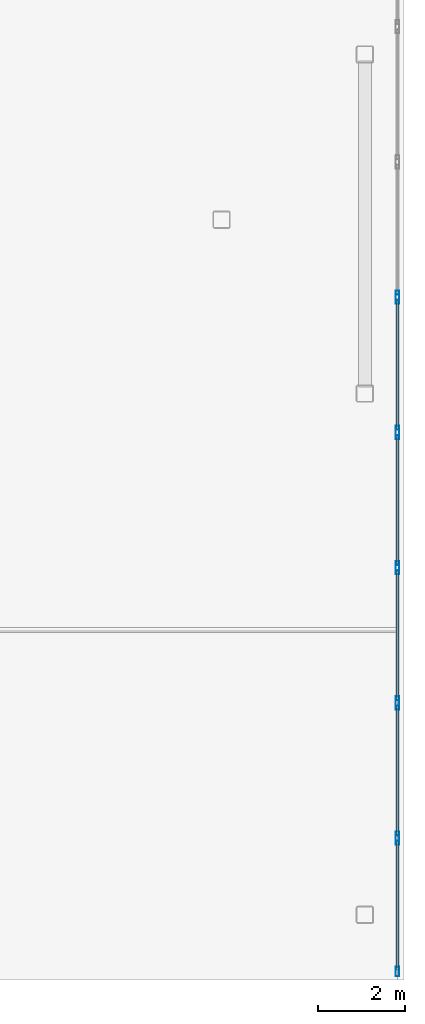
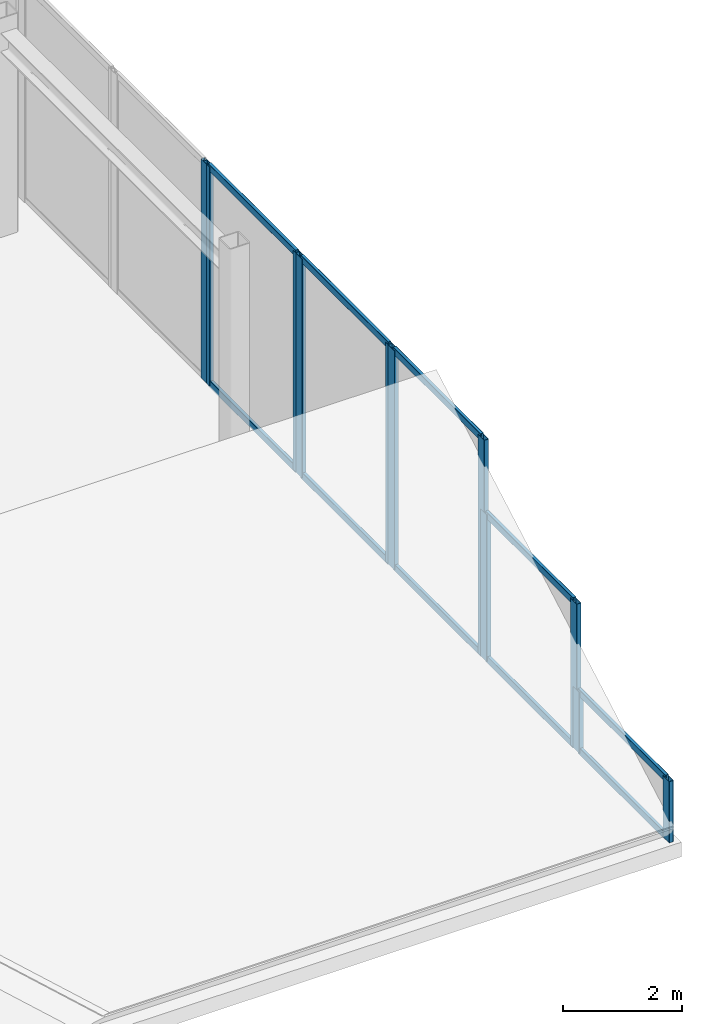
# One storey, part 7 of 12: 21 members, 6 elements without a shape of their own.
"""IFC4 building model written with IfcOpenShell, lengths in metres."""

from ifc_helpers import new_model, si_unit, direction, frame, origin, origin_2d, place, context, subcontext, project, spatial, hollow_rectangle, extrude, material, layer, layer_set, material_profile, profile_set, type_object, element, aggregate, save


model = new_model("IFC4")

# Units and contexts
model_context = context("Model", 3, precision=1e-05, world=origin(), true_north=direction((0.0, 1.0)))
body_context = subcontext(model_context, "Body", "Model", "MODEL_VIEW")
ifc_project = project(units=[si_unit("LENGTHUNIT", "METRE"), si_unit("AREAUNIT", "SQUARE_METRE"), si_unit("VOLUMEUNIT", "CUBIC_METRE"), si_unit("PLANEANGLEUNIT", "RADIAN"), si_unit("MASSUNIT", "GRAM", prefix="KILO")], contexts=[model_context])

# Site, building, storey
site_placement = place(None, origin())
site = spatial("IfcSite", under=ifc_project, at=site_placement, CompositionType="ELEMENT")
building_placement = place(site_placement, origin())
building = spatial("IfcBuilding", under=site, at=building_placement, Name="Tarnavaz Court Tower", CompositionType="ELEMENT")
storey_placement = place(building_placement, frame((0.0, 0.0, 299.550048828125)))
storey = spatial("IfcBuildingStorey", under=building, at=storey_placement, Name="C05", CompositionType="ELEMENT", Elevation=299.550048828125)

# Curtain wall, member
ifc_material_1 = material(Name="Anodised Aluminium 6063-T6 and Solar Low-E Glazing", Category="aluminium")
ifc_layer = layer(ifc_material_1, 0.2099609375)
ifc_layer_set = layer_set([ifc_layer], Name="Anodised Aluminium 6063-T6 and Solar Low-E Glazing")
curtain_wall_type = type_object("IfcCurtainWallType", Name="CW-SYS-06", PredefinedType="NOTDEFINED", material=ifc_layer_set)
curtain_wall_1_placement = place(storey_placement, origin())
curtain_wall_1 = element("IfcCurtainWall", 1, at=curtain_wall_1_placement, inside=storey, type_object=curtain_wall_type, Name="C05 Slanted Crown Terracotta Curtain Wall 12", PredefinedType="NOTDEFINED")
ifc_material_2 = material(Name="Anodised Aluminium 6063-T6", Category="aluminium")
ifc_material_profile_1 = material_profile(ifc_material_2, hollow_rectangle(XDim=0.0849609375, YDim=0.219970703125, WallThickness=0.006103515625, InnerFilletRadius=0.006103515625, OuterFilletRadius=0.011962890625, at=origin_2d()), Name="ALU RHS 220X85X6")
ifc_profile_set_1 = profile_set([ifc_material_profile_1], Name="Anodised Aluminium 6063-T6")
member_type_1 = type_object("IfcMemberType", Name="CW-MUL-220", PredefinedType="MULLION", material=ifc_profile_set_1)
member_1_placement = place(storey_placement, frame((22.64990234375, 8.2548828125, 0.0), z_axis=(0.0, 0.0, 1.0), x_axis=(1.0, 0.0, 0.0)))
member_1 = element("IfcMember", 2, at=member_1_placement, type_object=member_type_1, Name="CW mullion 2", PredefinedType="MULLION", context=body_context, shape_type="SweptSolid", body=[
    extrude(hollow_rectangle(XDim=0.0849609375, YDim=0.219970703125, WallThickness=0.006103515625, InnerFilletRadius=0.006103515625, OuterFilletRadius=0.011962890625, at=origin_2d()), origin(), (0.0, 0.0, 1.0), 4.5),
])
aggregate(curtain_wall_1, [member_1])

# Curtain wall, members
curtain_wall_2_placement = place(storey_placement, origin())
curtain_wall_2 = element("IfcCurtainWall", 3, at=curtain_wall_2_placement, inside=storey, type_object=curtain_wall_type, Name="C05 Slanted Crown Terracotta Curtain Wall 13", PredefinedType="NOTDEFINED")
member_2_placement = place(storey_placement, frame((22.64990234375, 8.169921875, 0.0), z_axis=(0.0, 0.0, 1.0), x_axis=(1.0, 0.0, 0.0)))
member_2 = element("IfcMember", 4, at=member_2_placement, type_object=member_type_1, Name="CW mullion 1", PredefinedType="MULLION", context=body_context, shape_type="SweptSolid", body=[
    extrude(hollow_rectangle(XDim=0.0849609375, YDim=0.219970703125, WallThickness=0.006103515625, InnerFilletRadius=0.006103515625, OuterFilletRadius=0.011962890625, at=origin_2d()), origin(), (0.0, 0.0, 1.0), 4.5),
])
member_3_placement = place(storey_placement, frame((22.64990234375, 5.142578125, 0.0), z_axis=(0.0, 0.0, 1.0), x_axis=(1.0, 0.0, 0.0)))
member_3 = element("IfcMember", 5, at=member_3_placement, type_object=member_type_1, Name="CW mullion 2", PredefinedType="MULLION", context=body_context, shape_type="SweptSolid", body=[
    extrude(hollow_rectangle(XDim=0.0849609375, YDim=0.219970703125, WallThickness=0.006103515625, InnerFilletRadius=0.006103515625, OuterFilletRadius=0.011962890625, at=origin_2d()), origin(), (0.0, 0.0, 1.0), 4.5),
])

curtain_wall_3_placement = place(storey_placement, origin())
curtain_wall_3 = element("IfcCurtainWall", 6, at=curtain_wall_3_placement, inside=storey, type_object=curtain_wall_type, Name="C05 Slanted Crown Terracotta Curtain Wall 14", PredefinedType="NOTDEFINED")
member_4_placement = place(storey_placement, frame((22.64990234375, 5.0576171875, 0.0), z_axis=(0.0, 0.0, 1.0), x_axis=(1.0, 0.0, 0.0)))
member_4 = element("IfcMember", 7, at=member_4_placement, type_object=member_type_1, Name="CW mullion 1", PredefinedType="MULLION", context=body_context, shape_type="SweptSolid", body=[
    extrude(hollow_rectangle(XDim=0.0849609375, YDim=0.219970703125, WallThickness=0.006103515625, InnerFilletRadius=0.006103515625, OuterFilletRadius=0.011962890625, at=origin_2d()), origin(), (0.0, 0.0, 1.0), 4.5),
])
member_5_placement = place(storey_placement, frame((22.64990234375, 2.030029296875, 0.0), z_axis=(0.0, 0.0, 1.0), x_axis=(1.0, 0.0, 0.0)))
member_5 = element("IfcMember", 8, at=member_5_placement, type_object=member_type_1, Name="CW mullion 2", PredefinedType="MULLION", context=body_context, shape_type="SweptSolid", body=[
    extrude(hollow_rectangle(XDim=0.0849609375, YDim=0.219970703125, WallThickness=0.006103515625, InnerFilletRadius=0.006103515625, OuterFilletRadius=0.011962890625, at=origin_2d()), origin(), (0.0, 0.0, 1.0), 4.5),
])

curtain_wall_4_placement = place(storey_placement, origin())
curtain_wall_4 = element("IfcCurtainWall", 9, at=curtain_wall_4_placement, inside=storey, type_object=curtain_wall_type, Name="C05 Slanted Crown Terracotta Curtain Wall 15", PredefinedType="NOTDEFINED")
member_6_placement = place(storey_placement, frame((22.64990234375, 1.945068359375, 0.0), z_axis=(0.0, 0.0, 1.0), x_axis=(1.0, 0.0, 0.0)))
member_6 = element("IfcMember", 10, at=member_6_placement, type_object=member_type_1, Name="CW mullion 1", PredefinedType="MULLION", context=body_context, shape_type="SweptSolid", body=[
    extrude(hollow_rectangle(XDim=0.0849609375, YDim=0.219970703125, WallThickness=0.006103515625, InnerFilletRadius=0.006103515625, OuterFilletRadius=0.011962890625, at=origin_2d()), origin(), (0.0, 0.0, 1.0), 4.5),
])
member_7_placement = place(storey_placement, frame((22.64990234375, -1.08251953125, 0.0), z_axis=(0.0, 0.0, 1.0), x_axis=(1.0, 0.0, 0.0)))
member_7 = element("IfcMember", 11, at=member_7_placement, type_object=member_type_1, Name="CW mullion 2", PredefinedType="MULLION", context=body_context, shape_type="SweptSolid", body=[
    extrude(hollow_rectangle(XDim=0.0849609375, YDim=0.219970703125, WallThickness=0.006103515625, InnerFilletRadius=0.006103515625, OuterFilletRadius=0.011962890625, at=origin_2d()), origin(), (0.0, 0.0, 1.0), 4.5),
])

curtain_wall_5_placement = place(storey_placement, origin())
curtain_wall_5 = element("IfcCurtainWall", 12, at=curtain_wall_5_placement, inside=storey, type_object=curtain_wall_type, Name="C05 Slanted Crown Terracotta Curtain Wall 16", PredefinedType="NOTDEFINED")
member_8_placement = place(storey_placement, frame((22.64990234375, -1.16748046875, 0.0), z_axis=(0.0, 0.0, 1.0), x_axis=(1.0, 0.0, 0.0)))
member_8 = element("IfcMember", 13, at=member_8_placement, type_object=member_type_1, Name="CW mullion 1", PredefinedType="MULLION", context=body_context, shape_type="SweptSolid", body=[
    extrude(hollow_rectangle(XDim=0.0849609375, YDim=0.219970703125, WallThickness=0.006103515625, InnerFilletRadius=0.006103515625, OuterFilletRadius=0.011962890625, at=origin_2d()), origin(), (0.0, 0.0, 1.0), 3.0185546875),
])
member_9_placement = place(storey_placement, frame((22.64990234375, -4.195068359375, 0.0), z_axis=(0.0, 0.0, 1.0), x_axis=(1.0, 0.0, 0.0)))
member_9 = element("IfcMember", 14, at=member_9_placement, type_object=member_type_1, Name="CW mullion 2", PredefinedType="MULLION", context=body_context, shape_type="SweptSolid", body=[
    extrude(hollow_rectangle(XDim=0.0849609375, YDim=0.219970703125, WallThickness=0.006103515625, InnerFilletRadius=0.006103515625, OuterFilletRadius=0.011962890625, at=origin_2d()), origin(), (0.0, 0.0, 1.0), 3.0185546875),
])

curtain_wall_6_placement = place(storey_placement, origin())
curtain_wall_6 = element("IfcCurtainWall", 15, at=curtain_wall_6_placement, inside=storey, type_object=curtain_wall_type, Name="C05 Slanted Crown Terracotta Curtain Wall 17", PredefinedType="NOTDEFINED")
member_10_placement = place(storey_placement, frame((22.64990234375, -4.280029296875, 0.0), z_axis=(0.0, 0.0, 1.0), x_axis=(1.0, 0.0, 0.0)))
member_10 = element("IfcMember", 16, at=member_10_placement, type_object=member_type_1, Name="CW mullion 1", PredefinedType="MULLION", context=body_context, shape_type="SweptSolid", body=[
    extrude(hollow_rectangle(XDim=0.0849609375, YDim=0.219970703125, WallThickness=0.006103515625, InnerFilletRadius=0.006103515625, OuterFilletRadius=0.011962890625, at=origin_2d()), origin(), (0.0, 0.0, 1.0), 1.25830078125),
])
member_11_placement = place(storey_placement, frame((22.64990234375, -7.3076171875, 0.0), z_axis=(0.0, 0.0, 1.0), x_axis=(1.0, 0.0, 0.0)))
member_11 = element("IfcMember", 17, at=member_11_placement, type_object=member_type_1, Name="CW mullion 2", PredefinedType="MULLION", context=body_context, shape_type="SweptSolid", body=[
    extrude(hollow_rectangle(XDim=0.0849609375, YDim=0.219970703125, WallThickness=0.006103515625, InnerFilletRadius=0.006103515625, OuterFilletRadius=0.011962890625, at=origin_2d()), origin(), (0.0, 0.0, 1.0), 1.25830078125),
])

# Member
ifc_material_profile_2 = material_profile(ifc_material_2, hollow_rectangle(XDim=0.06494140625, YDim=0.139892578125, WallThickness=0.00390625, InnerFilletRadius=0.00390625, OuterFilletRadius=0.008056640625, at=origin_2d()), Name="ALU RHS 140X65X4")
ifc_profile_set_2 = profile_set([ifc_material_profile_2], Name="Anodised Aluminium 6063-T6")
member_type_2 = type_object("IfcMemberType", Name="CW-TRN-140", PredefinedType="USERDEFINED", material=ifc_profile_set_2)
member_12_placement = place(storey_placement, frame((22.64990234375, 8.12744140625, 0.032470703125), z_axis=(0.0, -1.0, 0.0), x_axis=(1.0, 0.0, 0.0)))
member_12 = element("IfcMember", 18, at=member_12_placement, type_object=member_type_2, Name="CW transom 1.1", ObjectType="TRANSOM", PredefinedType="USERDEFINED", context=body_context, shape_type="SweptSolid", body=[
    extrude(hollow_rectangle(XDim=0.06494140625, YDim=0.139892578125, WallThickness=0.00390625, InnerFilletRadius=0.00390625, OuterFilletRadius=0.008056640625, at=origin_2d()), origin(), (0.0, 0.0, 1.0), 2.9423828125),
])

member_13_placement = place(storey_placement, frame((22.64990234375, 8.12744140625, 4.467529296875), z_axis=(0.0, -1.0, 0.0), x_axis=(1.0, 0.0, 0.0)))
member_13 = element("IfcMember", 19, at=member_13_placement, type_object=member_type_2, Name="CW transom 1.2", ObjectType="TRANSOM", PredefinedType="USERDEFINED", context=body_context, shape_type="SweptSolid", body=[
    extrude(hollow_rectangle(XDim=0.06494140625, YDim=0.139892578125, WallThickness=0.00390625, InnerFilletRadius=0.00390625, OuterFilletRadius=0.008056640625, at=origin_2d()), origin(), (0.0, 0.0, 1.0), 2.9423828125),
])

aggregate(curtain_wall_2, [member_2, member_3, member_12, member_13])

member_14_placement = place(storey_placement, frame((22.64990234375, 5.014892578125, 0.032470703125), z_axis=(0.0, -1.0, 0.0), x_axis=(1.0, 0.0, 0.0)))
member_14 = element("IfcMember", 20, at=member_14_placement, type_object=member_type_2, Name="CW transom 1.1", ObjectType="TRANSOM", PredefinedType="USERDEFINED", context=body_context, shape_type="SweptSolid", body=[
    extrude(hollow_rectangle(XDim=0.06494140625, YDim=0.139892578125, WallThickness=0.00390625, InnerFilletRadius=0.00390625, OuterFilletRadius=0.008056640625, at=origin_2d()), origin(), (0.0, 0.0, 1.0), 2.9423828125),
])

member_15_placement = place(storey_placement, frame((22.64990234375, 5.014892578125, 4.467529296875), z_axis=(0.0, -1.0, 0.0), x_axis=(1.0, 0.0, 0.0)))
member_15 = element("IfcMember", 21, at=member_15_placement, type_object=member_type_2, Name="CW transom 1.2", ObjectType="TRANSOM", PredefinedType="USERDEFINED", context=body_context, shape_type="SweptSolid", body=[
    extrude(hollow_rectangle(XDim=0.06494140625, YDim=0.139892578125, WallThickness=0.00390625, InnerFilletRadius=0.00390625, OuterFilletRadius=0.008056640625, at=origin_2d()), origin(), (0.0, 0.0, 1.0), 2.9423828125),
])

aggregate(curtain_wall_3, [member_4, member_5, member_14, member_15])

member_16_placement = place(storey_placement, frame((22.64990234375, 1.902587890625, 0.032470703125), z_axis=(0.0, -1.0, 0.0), x_axis=(1.0, 0.0, 0.0)))
member_16 = element("IfcMember", 22, at=member_16_placement, type_object=member_type_2, Name="CW transom 1.1", ObjectType="TRANSOM", PredefinedType="USERDEFINED", context=body_context, shape_type="SweptSolid", body=[
    extrude(hollow_rectangle(XDim=0.06494140625, YDim=0.139892578125, WallThickness=0.00390625, InnerFilletRadius=0.00390625, OuterFilletRadius=0.008056640625, at=origin_2d()), origin(), (0.0, 0.0, 1.0), 2.942626953125),
])

member_17_placement = place(storey_placement, frame((22.64990234375, 1.902587890625, 4.467529296875), z_axis=(0.0, -1.0, 0.0), x_axis=(1.0, 0.0, 0.0)))
member_17 = element("IfcMember", 23, at=member_17_placement, type_object=member_type_2, Name="CW transom 1.2", ObjectType="TRANSOM", PredefinedType="USERDEFINED", context=body_context, shape_type="SweptSolid", body=[
    extrude(hollow_rectangle(XDim=0.06494140625, YDim=0.139892578125, WallThickness=0.00390625, InnerFilletRadius=0.00390625, OuterFilletRadius=0.008056640625, at=origin_2d()), origin(), (0.0, 0.0, 1.0), 2.942626953125),
])

aggregate(curtain_wall_4, [member_6, member_7, member_16, member_17])

member_18_placement = place(storey_placement, frame((22.64990234375, -1.2099609375, 0.032470703125), z_axis=(0.0, -1.0, 0.0), x_axis=(1.0, 0.0, 0.0)))
member_18 = element("IfcMember", 24, at=member_18_placement, type_object=member_type_2, Name="CW transom 1.1", ObjectType="TRANSOM", PredefinedType="USERDEFINED", context=body_context, shape_type="SweptSolid", body=[
    extrude(hollow_rectangle(XDim=0.06494140625, YDim=0.139892578125, WallThickness=0.00390625, InnerFilletRadius=0.00390625, OuterFilletRadius=0.008056640625, at=origin_2d()), origin(), (0.0, 0.0, 1.0), 2.942626953125),
])

member_19_placement = place(storey_placement, frame((22.64990234375, -1.2099609375, 2.986083984375), z_axis=(0.0, -1.0, 0.0), x_axis=(1.0, 0.0, 0.0)))
member_19 = element("IfcMember", 25, at=member_19_placement, type_object=member_type_2, Name="CW transom 1.2", ObjectType="TRANSOM", PredefinedType="USERDEFINED", context=body_context, shape_type="SweptSolid", body=[
    extrude(hollow_rectangle(XDim=0.06494140625, YDim=0.139892578125, WallThickness=0.00390625, InnerFilletRadius=0.00390625, OuterFilletRadius=0.008056640625, at=origin_2d()), origin(), (0.0, 0.0, 1.0), 2.942626953125),
])

aggregate(curtain_wall_5, [member_8, member_9, member_18, member_19])

member_20_placement = place(storey_placement, frame((22.64990234375, -4.322509765625, 0.032470703125), z_axis=(0.0, -1.0, 0.0), x_axis=(1.0, 0.0, 0.0)))
member_20 = element("IfcMember", 26, at=member_20_placement, type_object=member_type_2, Name="CW transom 1.1", ObjectType="TRANSOM", PredefinedType="USERDEFINED", context=body_context, shape_type="SweptSolid", body=[
    extrude(hollow_rectangle(XDim=0.06494140625, YDim=0.139892578125, WallThickness=0.00390625, InnerFilletRadius=0.00390625, OuterFilletRadius=0.008056640625, at=origin_2d()), origin(), (0.0, 0.0, 1.0), 2.9423828125),
])

member_21_placement = place(storey_placement, frame((22.64990234375, -4.322509765625, 1.225830078125), z_axis=(0.0, -1.0, 0.0), x_axis=(1.0, 0.0, 0.0)))
member_21 = element("IfcMember", 27, at=member_21_placement, type_object=member_type_2, Name="CW transom 1.2", ObjectType="TRANSOM", PredefinedType="USERDEFINED", context=body_context, shape_type="SweptSolid", body=[
    extrude(hollow_rectangle(XDim=0.06494140625, YDim=0.139892578125, WallThickness=0.00390625, InnerFilletRadius=0.00390625, OuterFilletRadius=0.008056640625, at=origin_2d()), origin(), (0.0, 0.0, 1.0), 2.9423828125),
])

aggregate(curtain_wall_6, [member_10, member_11, member_20, member_21])

save(model, "model.ifc")
